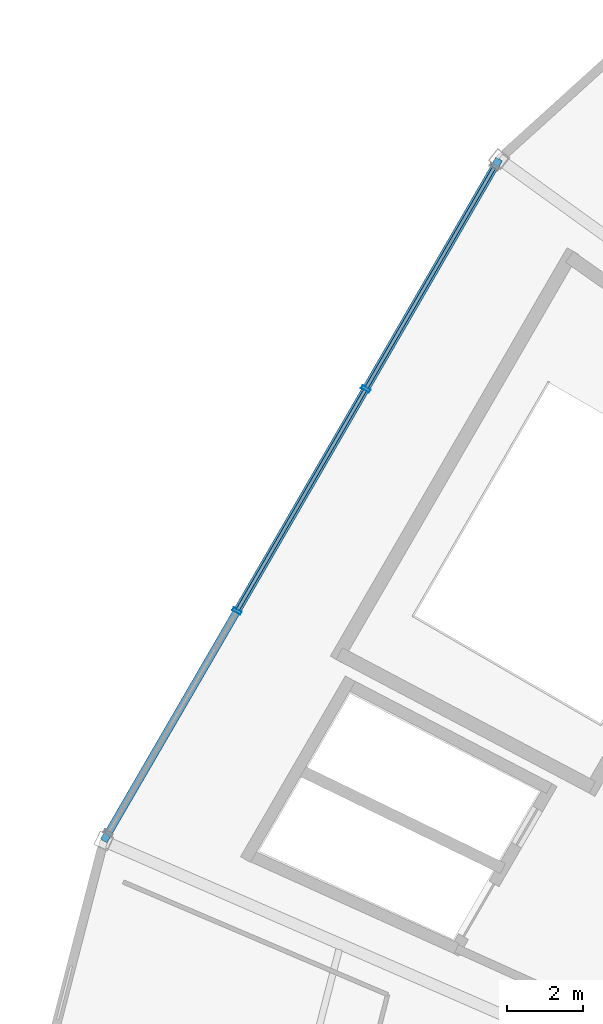
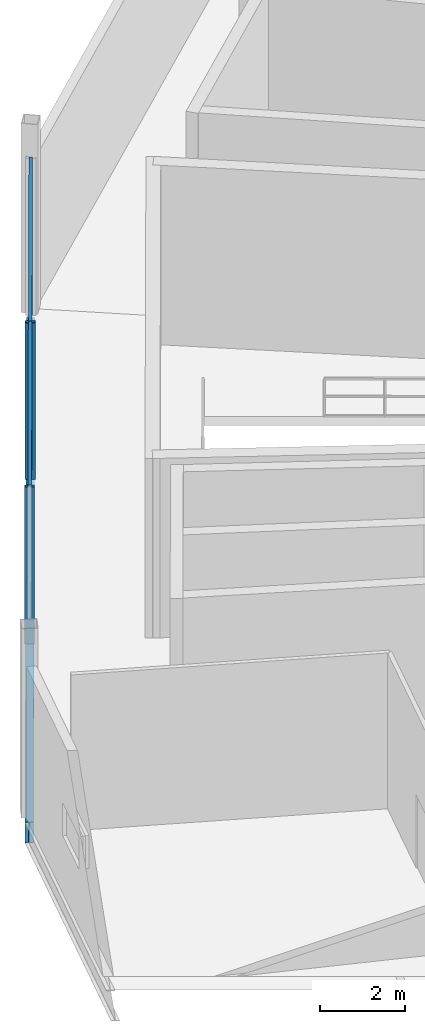
# One storey, part 48 of 86: 6 members, 1 beam, 1 element without a shape of its own.
"""IFC4 building model written with IfcOpenShell, lengths in metres."""

import ifcopenshell
import ifcopenshell.guid

model = None  # the IFC model being written
_history = None  # IfcOwnerHistory: only IFC2X3 demands one
_inside = {}  # id of a spatial element -> (the spatial element, [elements in it])
_under = {}  # id of a project, library or spatial element -> (it, [spatial elements below it])
_declared = {}  # id of a project -> (the project, [libraries it declares])
_typed = {}  # id of a type object -> (the type object, [elements of that type])
_made_of = {}  # id of a material, layer set ... -> (it, [elements and type objects made of it])


def new_model(schema):
    """Start an empty IFC model of exactly this schema.

    Asked for "IFC4X3", IfcOpenShell would pick the latest addendum, in which some entities
    have other attributes; the version numbers below select the first issue.
    IFC2X3 requires an IfcOwnerHistory on every rooted entity: one is made here for all.
    """
    global model, _history
    if schema == "IFC4X3":
        model = ifcopenshell.file(schema_version=(4, 3, 0, 0))
    else:
        model = ifcopenshell.file(schema=schema)
    _inside.clear()
    _under.clear()
    _declared.clear()
    _typed.clear()
    _made_of.clear()
    _history = None
    if model.schema == "IFC2X3":
        org = make("IfcOrganization", Name="unknown")
        user = make(
            "IfcPersonAndOrganization",
            ThePerson=make("IfcPerson", FamilyName="unknown"),
            TheOrganization=org,
        )
        app = make(
            "IfcApplication",
            ApplicationDeveloper=org,
            Version="unknown",
            ApplicationFullName="unknown",
            ApplicationIdentifier="unknown",
        )
        _history = make(
            "IfcOwnerHistory",
            OwningUser=user,
            OwningApplication=app,
            ChangeAction="ADDED",
            CreationDate=0,
        )
    return model


def make(cls, **values):
    """One entity of the class cls with the attributes given. An attribute that is None is left unset."""
    return model.create_entity(
        cls, **{name: value for name, value in values.items() if value is not None}
    )


def rooted(cls, **values):
    """An entity with a GlobalId (a new one), such as an element, a storey or a relation."""
    return make(cls, GlobalId=ifcopenshell.guid.new(), OwnerHistory=_history, **values)


def si_unit(unit_type, name, prefix=None):
    """IfcSIUnit, for example si_unit("LENGTHUNIT", "METRE", prefix="MILLI")."""
    return make("IfcSIUnit", UnitType=unit_type, Prefix=prefix, Name=name)


def assignment(units):
    """IfcUnitAssignment: the units of a project."""
    return None if units is None else make("IfcUnitAssignment", Units=units)


def point(xyz):
    """IfcCartesianPoint."""
    return None if xyz is None else make("IfcCartesianPoint", Coordinates=xyz)


def direction(xyz):
    """IfcDirection."""
    return None if xyz is None else make("IfcDirection", DirectionRatios=xyz)


def frame(location, z_axis=None, x_axis=None):
    """IfcAxis2Placement3D, a coordinate frame: its origin and axes. An axis left out is left unset."""
    return make(
        "IfcAxis2Placement3D",
        Location=point(location),
        Axis=direction(z_axis),
        RefDirection=direction(x_axis),
    )


def frame_2d(location, x_axis=None):
    """IfcAxis2Placement2D, a coordinate frame in the plane: its origin and x axis."""
    return make(
        "IfcAxis2Placement2D", Location=point(location), RefDirection=direction(x_axis)
    )


def origin():
    """The frame at (0, 0, 0) with its axes left unset."""
    return frame((0.0, 0.0, 0.0))


def origin_2d():
    """The frame at (0, 0) in the plane with its x axis left unset."""
    return frame_2d((0.0, 0.0))


def place(relative_to, where):
    """IfcLocalPlacement: puts the frame where relative to a parent placement (None: the world)."""
    return make(
        "IfcLocalPlacement", PlacementRelTo=relative_to, RelativePlacement=where
    )


def context(
    kind, dimensions, precision=None, world=None, true_north=None, identifier=None
):
    """IfcGeometricRepresentationContext, for example the 3D "Model" context."""
    return make(
        "IfcGeometricRepresentationContext",
        ContextIdentifier=identifier,
        ContextType=kind,
        CoordinateSpaceDimension=dimensions,
        Precision=precision,
        WorldCoordinateSystem=world,
        TrueNorth=true_north,
    )


def subcontext(parent, identifier, kind, view, scale=None):
    """IfcGeometricRepresentationSubContext, for example "Body" below "Model"."""
    return make(
        "IfcGeometricRepresentationSubContext",
        ContextIdentifier=identifier,
        ContextType=kind,
        ParentContext=parent,
        TargetScale=scale,
        TargetView=view,
    )


def project(units=None, contexts=None):
    """IfcProject with its units and contexts."""
    return rooted(
        "IfcProject",
        Name="project",
        RepresentationContexts=contexts,
        UnitsInContext=assignment(units),
    )


def spatial(cls, under=None, at=None, **own):
    """A site, building, storey or space (cls), placed at a placement, below another one or the project."""
    s = rooted(cls, ObjectPlacement=at, **own)
    if under is not None:
        _under.setdefault(under.id(), (under, []))[1].append(s)
    return s


def profile(cls, at=None, kind="AREA", **sizes):
    """A parametric profile (cls). Its sizes go by their IFC names, for example OverallWidth=200.0."""
    return make(cls, ProfileType=kind, Position=at, **sizes)


def hollow_rectangle(**sizes):
    """IfcRectangleHollowProfileDef."""
    return profile("IfcRectangleHollowProfileDef", **sizes)


def i_section(**sizes):
    """IfcIShapeProfileDef."""
    return profile("IfcIShapeProfileDef", **sizes)


def extrude(swept, where, along, depth):
    """IfcExtrudedAreaSolid: the profile swept, set in the frame where, extruded along a direction by depth."""
    return make(
        "IfcExtrudedAreaSolid",
        SweptArea=swept,
        Position=where,
        ExtrudedDirection=direction(along),
        Depth=depth,
    )


def shape(context_of_items, identifier, shape_type, items):
    """IfcShapeRepresentation: the items that make up one representation, for example the "Body"."""
    return make(
        "IfcShapeRepresentation",
        ContextOfItems=context_of_items,
        RepresentationIdentifier=identifier,
        RepresentationType=shape_type,
        Items=items,
    )


def material(Name=None, Category=None):
    """IfcMaterial."""
    return make("IfcMaterial", Name=Name, Category=Category)


def layer(
    of_material, thickness, ventilated=None, Name=None, Category=None, Priority=None
):
    """IfcMaterialLayer: one layer of a wall or slab, of a material (None: an air gap)."""
    return make(
        "IfcMaterialLayer",
        Material=of_material,
        LayerThickness=thickness,
        IsVentilated=ventilated,
        Name=Name,
        Category=Category,
        Priority=Priority,
    )


def layer_set(layers, Name=None):
    """IfcMaterialLayerSet."""
    return make("IfcMaterialLayerSet", MaterialLayers=layers, LayerSetName=Name)


def material_profile(
    of_material, cross_section, Name=None, Category=None, Priority=None
):
    """IfcMaterialProfile: a cross section and its material."""
    return make(
        "IfcMaterialProfile",
        Name=Name,
        Material=of_material,
        Profile=cross_section,
        Priority=Priority,
        Category=Category,
    )


def profile_set(profiles, Name=None, composite=None):
    """IfcMaterialProfileSet."""
    return make(
        "IfcMaterialProfileSet",
        Name=Name,
        MaterialProfiles=profiles,
        CompositeProfile=composite,
    )


def made_of(thing, what):
    """Note that an element or type object is made of a material, layer set ...; save() writes the relation."""
    if what is not None:
        _made_of.setdefault(what.id(), (what, []))[1].append(thing)
    return thing


def type_object(cls, material=None, **own):
    """A type object (cls), such as IfcWallType, which elements share."""
    return made_of(rooted(cls, **own), material)


def element(
    cls,
    number,
    at=None,
    inside=None,
    cuts=None,
    type_object=None,
    material=None,
    context=None,
    identifier="Body",
    shape_type=None,
    held_by="IfcProductDefinitionShape",
    body=None,
    shapes=None,
    **own,
):
    """One element of the class cls, such as IfcWall. Its Tag is "e" and its number.

    at: its placement. inside: the storey or other place that contains it. cuts: it is an
    opening in that element (IfcRelVoidsElement). A single representation is given by context,
    identifier, shape_type and body (its items); several are given by shapes. held_by: the class
    of the entity that holds the representations. save() writes the other relations.
    """
    e = rooted(cls, Tag="e%d" % number, ObjectPlacement=at, **own)
    if body is not None:
        shapes = [shape(context, identifier, shape_type, body)]
    if shapes is not None:
        e.Representation = make(held_by, Representations=shapes)
    if inside is not None:
        _inside.setdefault(inside.id(), (inside, []))[1].append(e)
    if cuts is not None:
        rooted(
            "IfcRelVoidsElement", RelatingBuildingElement=cuts, RelatedOpeningElement=e
        )
    if type_object is not None:
        _typed.setdefault(type_object.id(), (type_object, []))[1].append(e)
    return made_of(e, material)


def aggregate(whole, parts):
    """IfcRelAggregates: a whole, such as a stair, and the parts it consists of."""
    return rooted("IfcRelAggregates", RelatingObject=whole, RelatedObjects=parts)


def save(model, path):
    """Write the relations noted so far, then the file.

    IfcRelAggregates (storeys below a building ...), IfcRelContainedInSpatialStructure (elements
    in a storey), IfcRelDefinesByType, IfcRelAssociatesMaterial and IfcRelDeclares: one each for
    every whole, place, type object, material and project.
    """
    for whole, parts in _under.values():
        aggregate(whole, parts)
    for where, things in _inside.values():
        rooted(
            "IfcRelContainedInSpatialStructure",
            RelatedElements=things,
            RelatingStructure=where,
        )
    for kind, things in _typed.values():
        rooted("IfcRelDefinesByType", RelatedObjects=things, RelatingType=kind)
    for what, things in _made_of.values():
        rooted("IfcRelAssociatesMaterial", RelatedObjects=things, RelatingMaterial=what)
    for by, libraries in _declared.values():
        rooted("IfcRelDeclares", RelatingContext=by, RelatedDefinitions=libraries)
    model.write(path)


model = new_model("IFC4")

# Units and contexts
model_context = context("Model", 3, precision=1e-05, world=origin(), true_north=direction((0.0, 1.0)))
body_context = subcontext(model_context, "Body", "Model", "MODEL_VIEW")
ifc_project = project(units=[si_unit("LENGTHUNIT", "METRE"), si_unit("AREAUNIT", "SQUARE_METRE"), si_unit("VOLUMEUNIT", "CUBIC_METRE"), si_unit("PLANEANGLEUNIT", "RADIAN"), si_unit("MASSUNIT", "GRAM", prefix="KILO")], contexts=[model_context])

# Site, building, storey
site_placement = place(None, origin())
site = spatial("IfcSite", under=ifc_project, at=site_placement, CompositionType="ELEMENT")
building_placement = place(site_placement, origin())
building = spatial("IfcBuilding", under=site, at=building_placement, Name="Kazemori Nagisa Stadium", CompositionType="ELEMENT")
storey_placement = place(building_placement, frame((0.0, 0.0, 31.280029296875)))
storey = spatial("IfcBuildingStorey", under=building, at=storey_placement, Name="L06", CompositionType="ELEMENT", Elevation=31.280029296875)

# Beam
ifc_material_1 = material(Name="Steel SN490B", Category="steel")
ifc_material_profile_1 = material_profile(ifc_material_1, i_section(OverallWidth=0.199951171875, OverallDepth=0.60009765625, WebThickness=0.010986328125, FlangeThickness=0.01708984375, FilletRadius=0.012939453125, at=origin_2d()), Name="H-600x200x11x17")
ifc_profile_set_1 = profile_set([ifc_material_profile_1], Name="Steel SN490B")
beam_type = type_object("IfcBeamType", Name="Beam_BS-H600", PredefinedType="SPANDREL", material=ifc_profile_set_1)
beam_placement = place(storey_placement, frame((44.504638671875, 158.667724609375, -0.56005859375), z_axis=(-0.50161277459, -0.8650922635, 0.0), x_axis=(0.8650922635, -0.50161277459, 0.0)))
element("IfcBeam", 1, at=beam_placement, inside=storey, type_object=beam_type, Name="Ring girder BS-H600 L06 R3-12", PredefinedType="SPANDREL", context=body_context, shape_type="SweptSolid", body=[
    extrude(i_section(OverallWidth=0.199951171875, OverallDepth=0.60009765625, WebThickness=0.010986328125, FlangeThickness=0.01708984375, FilletRadius=0.012939453125, at=origin_2d()), origin(), (0.0, 0.0, 1.0), 20.71240234375),
])

# Curtain wall, members
ifc_material_2 = material(Name="Anodised aluminium 6063-T5", Category="aluminium")
ifc_layer = layer(ifc_material_2, 0.239990234375, Name="Anodised aluminium 6063-T5", Category="aluminium")
ifc_layer_set = layer_set([ifc_layer], Name="Anodised aluminium 6063-T5")
curtain_wall_type = type_object("IfcCurtainWallType", Name="CW_L06R3_102", PredefinedType="USERDEFINED", material=ifc_layer_set)
curtain_wall_placement = place(storey_placement, origin())
curtain_wall = element("IfcCurtainWall", 2, at=curtain_wall_placement, inside=storey, type_object=curtain_wall_type, Name="Unitised curtain wall CW-L06R3-102 L06", ObjectType="UNITISED CURTAIN WALL", PredefinedType="USERDEFINED")
ifc_material_3 = material(Name="Aluminium 6063-T5 anodised", Category="aluminium")
ifc_material_profile_2 = material_profile(ifc_material_3, hollow_rectangle(XDim=0.090087890625, YDim=0.239990234375, WallThickness=0.0048828125, at=origin_2d()), Name="ALU-MULL-90x240x5")
ifc_profile_set_2 = profile_set([ifc_material_profile_2], Name="Aluminium 6063-T5 anodised")
member_type_1 = type_object("IfcMemberType", Name="Mullion_M03", PredefinedType="MULLION", material=ifc_profile_set_2)
member_1_placement = place(storey_placement, frame((41.002197265625, 152.627197265625, 0.0), z_axis=(0.0, 0.0, 1.0), x_axis=(-0.501611590054, -0.865092950337, 0.0)))
member_1 = element("IfcMember", 3, at=member_1_placement, type_object=member_type_1, Name="Curtain wall mullion CW-L06R3-102-M2", PredefinedType="MULLION", context=body_context, shape_type="SweptSolid", body=[
    extrude(hollow_rectangle(XDim=0.090087890625, YDim=0.239990234375, WallThickness=0.0048828125, at=origin_2d()), origin(), (0.0, 0.0, 1.0), 4.510009765625),
])
member_2_placement = place(storey_placement, frame((37.617431640625, 146.7900390625, 0.0), z_axis=(0.0, 0.0, 1.0), x_axis=(-0.501611590054, -0.865092950337, 0.0)))
member_2 = element("IfcMember", 4, at=member_2_placement, type_object=member_type_1, Name="Curtain wall mullion CW-L06R3-102-M3", PredefinedType="MULLION", context=body_context, shape_type="SweptSolid", body=[
    extrude(hollow_rectangle(XDim=0.090087890625, YDim=0.239990234375, WallThickness=0.0048828125, at=origin_2d()), origin(), (0.0, 0.0, 1.0), 4.510009765625),
])
ifc_material_profile_3 = material_profile(ifc_material_3, hollow_rectangle(XDim=0.090087890625, YDim=0.179931640625, WallThickness=0.0048828125, at=origin_2d()), Name="ALU-TRAN-90x180x5")
ifc_profile_set_3 = profile_set([ifc_material_profile_3], Name="Aluminium 6063-T5 anodised")
member_type_2 = type_object("IfcMemberType", Name="Transom_T03", PredefinedType="USERDEFINED", material=ifc_profile_set_3)
member_3_placement = place(storey_placement, frame((44.376708984375, 158.447021484375, 3.47265625), z_axis=(-0.501612953117, -0.865092159984, 0.0), x_axis=(0.865092159984, -0.501612953117, 0.0)))
member_3 = element("IfcMember", 5, at=member_3_placement, type_object=member_type_2, Name="Curtain wall transom CW-L06R3-102-T1-mid", ObjectType="TRANSOM", PredefinedType="USERDEFINED", context=body_context, shape_type="SweptSolid", body=[
    extrude(hollow_rectangle(XDim=0.090087890625, YDim=0.179931640625, WallThickness=0.0048828125, at=origin_2d()), origin(), (0.0, 0.0, 1.0), 6.707275390625),
])
member_4_placement = place(storey_placement, frame((44.376708984375, 158.447021484375, 4.43994140625), z_axis=(-0.501612953117, -0.865092159984, 0.0), x_axis=(0.865092159984, -0.501612953117, 0.0)))
member_4 = element("IfcMember", 6, at=member_4_placement, type_object=member_type_2, Name="Curtain wall transom CW-L06R3-102-T1-head", ObjectType="TRANSOM", PredefinedType="USERDEFINED", context=body_context, shape_type="SweptSolid", body=[
    extrude(hollow_rectangle(XDim=0.090087890625, YDim=0.179931640625, WallThickness=0.0048828125, at=origin_2d()), origin(), (0.0, 0.0, 1.0), 6.707275390625),
])
member_5_placement = place(storey_placement, frame((40.9921875, 152.60986328125, 3.47265625), z_axis=(-0.501612953117, -0.865092159984, 0.0), x_axis=(0.865092159984, -0.501612953117, 0.0)))
member_5 = element("IfcMember", 7, at=member_5_placement, type_object=member_type_2, Name="Curtain wall transom CW-L06R3-102-T2-mid", ObjectType="TRANSOM", PredefinedType="USERDEFINED", context=body_context, shape_type="SweptSolid", body=[
    extrude(hollow_rectangle(XDim=0.090087890625, YDim=0.179931640625, WallThickness=0.0048828125, at=origin_2d()), origin(), (0.0, 0.0, 1.0), 6.707275390625),
])
member_6_placement = place(storey_placement, frame((40.9921875, 152.60986328125, 4.43994140625), z_axis=(-0.501612953117, -0.865092159984, 0.0), x_axis=(0.865092159984, -0.501612953117, 0.0)))
member_6 = element("IfcMember", 8, at=member_6_placement, type_object=member_type_2, Name="Curtain wall transom CW-L06R3-102-T2-head", ObjectType="TRANSOM", PredefinedType="USERDEFINED", context=body_context, shape_type="SweptSolid", body=[
    extrude(hollow_rectangle(XDim=0.090087890625, YDim=0.179931640625, WallThickness=0.0048828125, at=origin_2d()), origin(), (0.0, 0.0, 1.0), 6.707275390625),
])
aggregate(curtain_wall, [member_1, member_2, member_3, member_4, member_5, member_6])

save(model, "model.ifc")
